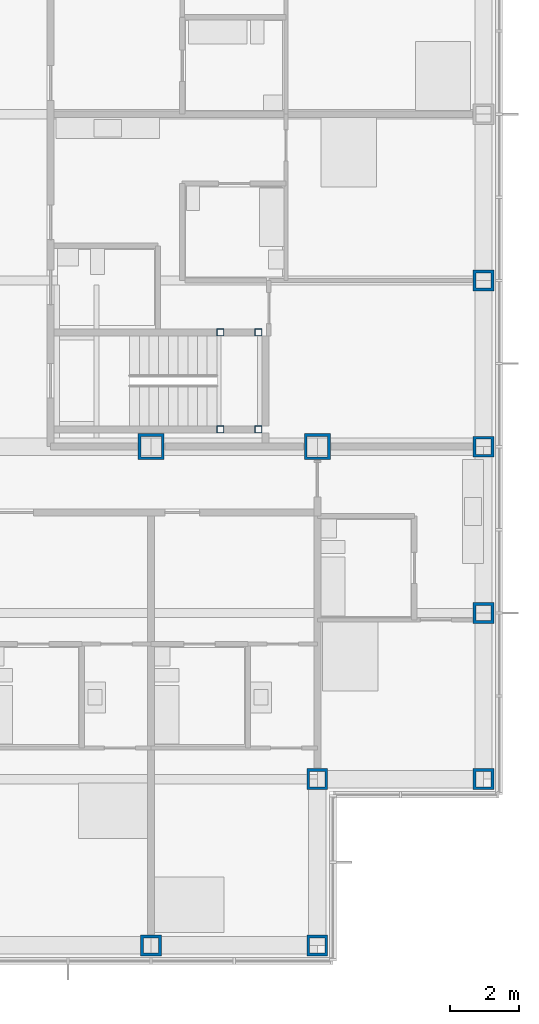
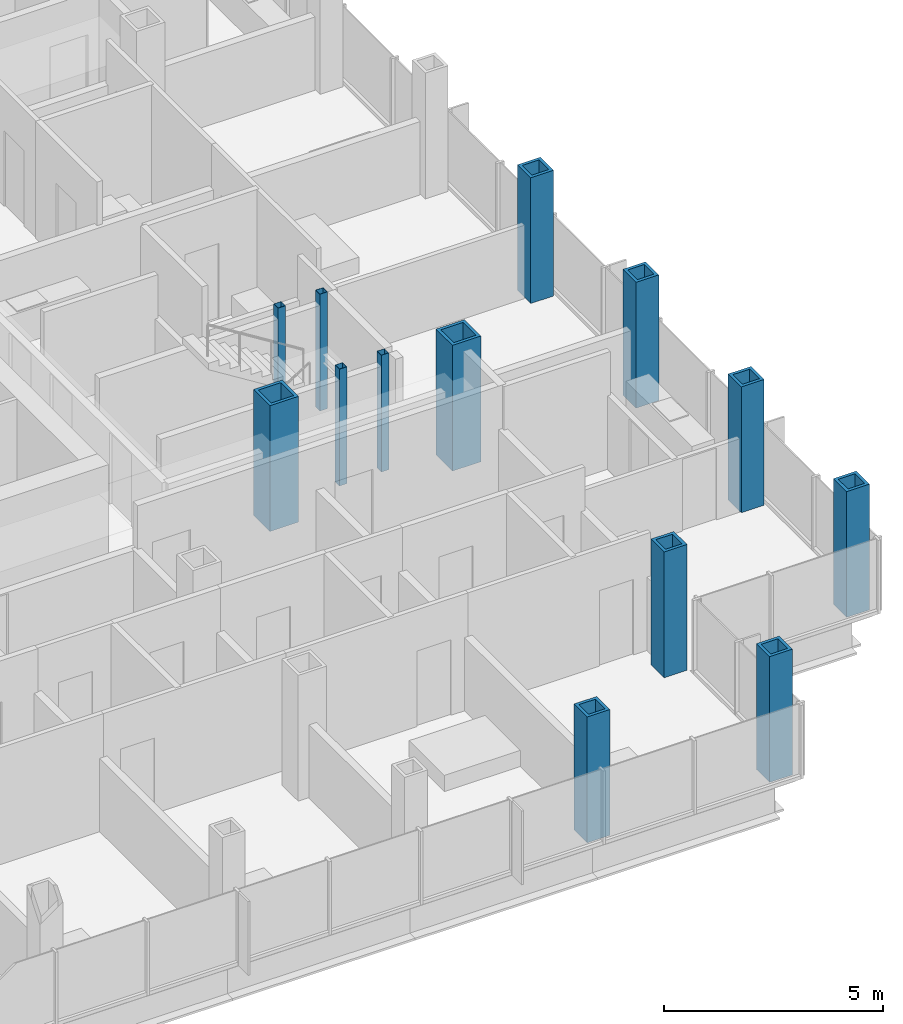
# One storey, part 4 of 22: 13 columns.
"""IFC4 building model written with IfcOpenShell, lengths in metres."""

from ifc_helpers import new_model, si_unit, direction, frame, origin, origin_2d, place, context, subcontext, project, spatial, hollow_rectangle, extrude, material, material_profile, profile_set, type_object, element, save


model = new_model("IFC4")

# Units and contexts
model_context = context("Model", 3, precision=1e-05, world=origin(), true_north=direction((0.0, 1.0)))
body_context = subcontext(model_context, "Body", "Model", "MODEL_VIEW")
ifc_project = project(units=[si_unit("LENGTHUNIT", "METRE"), si_unit("AREAUNIT", "SQUARE_METRE"), si_unit("VOLUMEUNIT", "CUBIC_METRE"), si_unit("PLANEANGLEUNIT", "RADIAN"), si_unit("MASSUNIT", "GRAM", prefix="KILO")], contexts=[model_context])

# Site, building, storey
site_placement = place(None, origin())
site = spatial("IfcSite", under=ifc_project, at=site_placement, CompositionType="ELEMENT")
building_placement = place(site_placement, origin())
building = spatial("IfcBuilding", under=site, at=building_placement, Name="Kvirike Care Tower", CompositionType="ELEMENT")
storey_placement = place(building_placement, frame((0.0, 0.0, 76.0)))
storey = spatial("IfcBuildingStorey", under=building, at=storey_placement, Name="L20", CompositionType="ELEMENT", Elevation=76.0)

# Columns
ifc_material_1 = material(Name="Steel S460", Category="steel")
ifc_material_profile_1 = material_profile(ifc_material_1, hollow_rectangle(XDim=0.60009765625, YDim=0.60009765625, WallThickness=0.080078125, at=origin_2d()), Name="BX 600x600x80")
ifc_profile_set_1 = profile_set([ifc_material_profile_1], Name="Steel S460")
column_type_1 = type_object("IfcColumnType", Name="COLUMN BX 600x600x80", PredefinedType="COLUMN", material=ifc_profile_set_1)
for number, where, z_axis, x_axis, name in (
    (1, (33.60009765625, 14.39990234375, 0.0), (0.0, 0.0, 1.0), (0.0, 1.0, 0.0), "Column D10 L20"),
    (2, (38.39990234375, 14.39990234375, 0.0), (0.0, 0.0, 1.0), (0.0, 1.0, 0.0), "Column D11 L20"),
    (3, (38.39990234375, 19.199951171875, 0.0), (0.0, 0.0, 1.0), (0.0, 1.0, 0.0), "Column E11 L20"),
    (4, (43.199951171875, 19.199951171875, 0.0), (0.0, 0.0, 1.0), (0.0, 1.0, 0.0), "Column E12 L20"),
    (5, (43.199951171875, 24.0, 0.0), (0.0, 0.0, 1.0), (1.0, 0.0, 0.0), "Column F12 L20"),
    (6, (43.199951171875, 28.800048828125, 0.0), (0.0, 0.0, 1.0), (0.0, 1.0, 0.0), "Column G12 L20"),
    (7, (43.199951171875, 33.60009765625, 0.0), (0.0, 0.0, 1.0), (1.0, 0.0, 0.0), "Column H12 L20"),
):
    element("IfcColumn", number, at=place(storey_placement, frame(where, z_axis=z_axis, x_axis=x_axis)), inside=storey, type_object=column_type_1, Name=name, PredefinedType="COLUMN", context=body_context, shape_type="SweptSolid", body=[
        extrude(hollow_rectangle(XDim=0.60009765625, YDim=0.60009765625, WallThickness=0.080078125, at=origin_2d()), origin(), (0.0, 0.0, 1.0), 3.5),
    ])
ifc_material_2 = material(Name="Steel S460", Category="steel")
ifc_material_profile_2 = material_profile(ifc_material_2, hollow_rectangle(XDim=0.75, YDim=0.75, WallThickness=0.080078125, at=origin_2d()), Name="BX 750x750x80")
ifc_profile_set_2 = profile_set([ifc_material_profile_2], Name="Steel S460")
column_type_2 = type_object("IfcColumnType", Name="COLUMN BX 750x750x80", PredefinedType="COLUMN", material=ifc_profile_set_2)
for number, where, z_axis, x_axis, name in (
    (8, (33.60009765625, 28.800048828125, 0.0), (0.0, 0.0, 1.0), (0.0, 1.0, 0.0), "Column G10 L20"),
    (9, (38.39990234375, 28.800048828125, 0.0), (0.0, 0.0, 1.0), (0.0, 1.0, 0.0), "Column G11 L20"),
):
    element("IfcColumn", number, at=place(storey_placement, frame(where, z_axis=z_axis, x_axis=x_axis)), inside=storey, type_object=column_type_2, Name=name, PredefinedType="COLUMN", context=body_context, shape_type="SweptSolid", body=[
        extrude(hollow_rectangle(XDim=0.75, YDim=0.75, WallThickness=0.080078125, at=origin_2d()), origin(), (0.0, 0.0, 1.0), 3.5),
    ])
ifc_material_3 = material(Name="Steel S460", Category="steel")
ifc_material_profile_3 = material_profile(ifc_material_3, hollow_rectangle(XDim=0.199951171875, YDim=0.199951171875, WallThickness=0.008056640625, at=origin_2d()), Name="SHS 200x200x8")
ifc_profile_set_3 = profile_set([ifc_material_profile_3], Name="Steel S460")
column_type_3 = type_object("IfcColumnType", Name="STAIR POST SHS 200x200x8", PredefinedType="COLUMN", material=ifc_profile_set_3)
for number, where, z_axis, x_axis, name in (
    (10, (36.699951171875, 29.300048828125, 0.0), (0.0, 0.0, 1.0), (1.0, 0.0, 0.0), "Stair 2 post 1 L20"),
    (11, (36.699951171875, 32.10009765625, 0.0), (0.0, 0.0, 1.0), (1.0, 0.0, 0.0), "Stair 2 post 2 L20"),
    (12, (35.60009765625, 29.300048828125, 0.0), (0.0, 0.0, 1.0), (1.0, 0.0, 0.0), "Stair 2 post 3 L20"),
    (13, (35.60009765625, 32.10009765625, 0.0), (0.0, 0.0, 1.0), (1.0, 0.0, 0.0), "Stair 2 post 4 L20"),
):
    element("IfcColumn", number, at=place(storey_placement, frame(where, z_axis=z_axis, x_axis=x_axis)), inside=storey, type_object=column_type_3, Name=name, PredefinedType="COLUMN", context=body_context, shape_type="SweptSolid", body=[
        extrude(hollow_rectangle(XDim=0.199951171875, YDim=0.199951171875, WallThickness=0.008056640625, at=origin_2d()), origin(), (0.0, 0.0, 1.0), 3.25),
    ])

save(model, "model.ifc")
